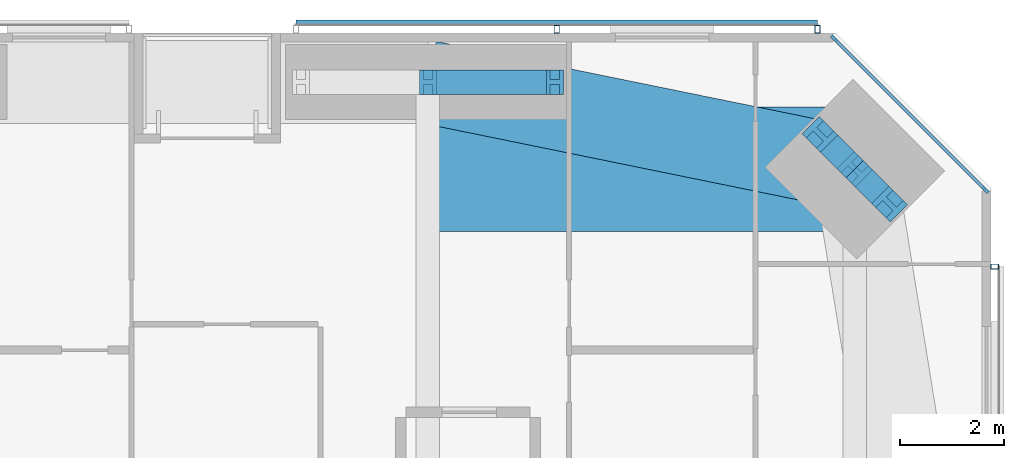
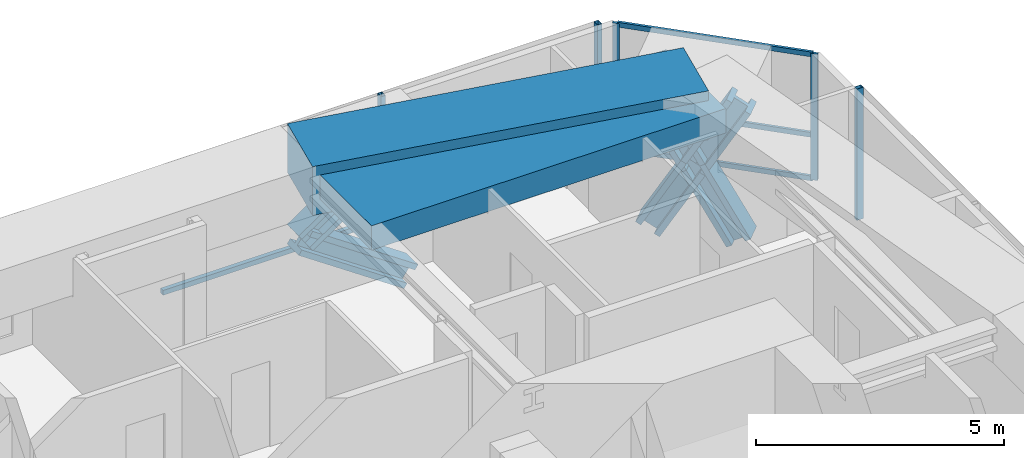
# One storey, part 15 of 24: 15 members, 2 beams, 3 elements without a shape of their own.
"""IFC4 building model written with IfcOpenShell, lengths in metres."""

from ifc_helpers import new_model, si_unit, direction, frame, origin, origin_2d, place, context, subcontext, project, spatial, rectangle, hollow_rectangle, i_section, extrude, material, material_profile, profile_set, type_object, element, aggregate, save


model = new_model("IFC4")

# Units and contexts
model_context = context("Model", 3, precision=1e-05, world=origin(), true_north=direction((0.0, 1.0)))
body_context = subcontext(model_context, "Body", "Model", "MODEL_VIEW")
ifc_project = project(units=[si_unit("LENGTHUNIT", "METRE"), si_unit("AREAUNIT", "SQUARE_METRE"), si_unit("VOLUMEUNIT", "CUBIC_METRE"), si_unit("PLANEANGLEUNIT", "RADIAN"), si_unit("MASSUNIT", "GRAM", prefix="KILO")], contexts=[model_context])

# Site, building, storey
site_placement = place(None, origin())
site = spatial("IfcSite", under=ifc_project, at=site_placement, CompositionType="ELEMENT")
building_placement = place(site_placement, origin())
building = spatial("IfcBuilding", under=site, at=building_placement, Name="Jalousie Tower", CompositionType="ELEMENT")
storey_placement = place(building_placement, frame((0.0, 0.0, 128.300048828125)))
storey = spatial("IfcBuildingStorey", under=building, at=storey_placement, Name="L35", CompositionType="ELEMENT", Elevation=128.300048828125)

# Curtain wall, members
ifc_material_1 = material(Name="Aluminium curtain wall", Category="aluminium")
curtain_wall_type_1 = type_object("IfcCurtainWallType", Name="CORNER WINDOW WALL", PredefinedType="USERDEFINED", material=ifc_material_1)
curtain_wall_1_placement = place(storey_placement, origin())
curtain_wall_1 = element("IfcCurtainWall", 1, at=curtain_wall_1_placement, inside=storey, type_object=curtain_wall_type_1, Name="Corner Window Wall L35 4", ObjectType="CORNER WINDOW WALL", PredefinedType="USERDEFINED")
ifc_material_2 = material(Name="Aluminium mullion", Category="aluminium")
ifc_material_profile_1 = material_profile(ifc_material_2, rectangle(XDim=0.06005859375, YDim=0.14990234375, at=origin_2d()), Name="MULLION 60x150")
ifc_profile_set_1 = profile_set([ifc_material_profile_1], Name="Aluminium mullion")
member_type_1 = type_object("IfcMemberType", Name="CORNER WINDOW WALL MULLION", PredefinedType="MULLION", material=ifc_profile_set_1)
member_1_placement = place(storey_placement, frame((49.391357421875, 34.969970703125, 0.0), z_axis=(0.0, 0.0, 1.0), x_axis=(-0.707106781187, -0.707106781187, 0.0)))
member_1 = element("IfcMember", 2, at=member_1_placement, type_object=member_type_1, Name="CW-C mullion 1", PredefinedType="MULLION", context=body_context, shape_type="SweptSolid", body=[
    extrude(rectangle(XDim=0.06005859375, YDim=0.14990234375, at=origin_2d()), origin(), (0.0, 0.0, 1.0), 3.10986328125),
])
member_2_placement = place(storey_placement, frame((46.469970703125, 37.891357421875, 0.0), z_axis=(0.0, 0.0, 1.0), x_axis=(-0.707106781187, -0.707106781187, 0.0)))
member_2 = element("IfcMember", 3, at=member_2_placement, type_object=member_type_1, Name="CW-C mullion 2", PredefinedType="MULLION", context=body_context, shape_type="SweptSolid", body=[
    extrude(rectangle(XDim=0.06005859375, YDim=0.14990234375, at=origin_2d()), origin(), (0.0, 0.0, 1.0), 3.10986328125),
])
ifc_material_3 = material(Name="Aluminium transom", Category="aluminium")
ifc_material_profile_2 = material_profile(ifc_material_3, rectangle(XDim=0.06005859375, YDim=0.1201171875, at=origin_2d()), Name="TRANSOM 60x120")
ifc_profile_set_2 = profile_set([ifc_material_profile_2], Name="Aluminium transom")
member_type_2 = type_object("IfcMemberType", Name="CORNER WINDOW WALL TRANSOM", PredefinedType="USERDEFINED", material=ifc_profile_set_2)
member_3_placement = place(storey_placement, frame((49.3701171875, 34.9912109375, 0.030029296875), z_axis=(-0.707106781187, 0.707106781187, 0.0), x_axis=(-0.707106781187, -0.707106781187, 0.0)))
member_3 = element("IfcMember", 4, at=member_3_placement, type_object=member_type_2, Name="CW-C transom 1.1", ObjectType="TRANSOM", PredefinedType="USERDEFINED", context=body_context, shape_type="SweptSolid", body=[
    extrude(rectangle(XDim=0.06005859375, YDim=0.1201171875, at=origin_2d()), origin(), (0.0, 0.0, 1.0), 4.0712890625),
])
member_4_placement = place(storey_placement, frame((49.3701171875, 34.9912109375, 1.099853515625), z_axis=(-0.707106781187, 0.707106781187, 0.0), x_axis=(-0.707106781187, -0.707106781187, 0.0)))
member_4 = element("IfcMember", 5, at=member_4_placement, type_object=member_type_2, Name="CW-C transom 1.2", ObjectType="TRANSOM", PredefinedType="USERDEFINED", context=body_context, shape_type="SweptSolid", body=[
    extrude(rectangle(XDim=0.06005859375, YDim=0.1201171875, at=origin_2d()), origin(), (0.0, 0.0, 1.0), 4.0712890625),
])
member_5_placement = place(storey_placement, frame((49.3701171875, 34.9912109375, 3.079833984375), z_axis=(-0.707106781187, 0.707106781187, 0.0), x_axis=(-0.707106781187, -0.707106781187, 0.0)))
member_5 = element("IfcMember", 6, at=member_5_placement, type_object=member_type_2, Name="CW-C transom 1.3", ObjectType="TRANSOM", PredefinedType="USERDEFINED", context=body_context, shape_type="SweptSolid", body=[
    extrude(rectangle(XDim=0.06005859375, YDim=0.1201171875, at=origin_2d()), origin(), (0.0, 0.0, 1.0), 4.0712890625),
])
aggregate(curtain_wall_1, [member_1, member_2, member_3, member_4, member_5])

# Members
ifc_material_4 = material(Name="Steel ASTM A992 Grade 50", Category="steel")
ifc_material_profile_3 = material_profile(ifc_material_4, i_section(OverallWidth=0.472412109375, OverallDepth=0.5791015625, WebThickness=0.094970703125, FlangeThickness=0.1298828125, at=origin_2d()), Name="W14X808")
ifc_profile_set_3 = profile_set([ifc_material_profile_3], Name="Steel ASTM A992 Grade 50")
member_type_3 = type_object("IfcMemberType", Name="PERIMETER BRACE W14X808", PredefinedType="BRACE", material=ifc_profile_set_3)
for number, where, z_axis, x_axis, name in (
    (7, (47.540283203125, 34.697021484375, -0.60009765625), (-0.348789058631, 0.348789058631, 0.869880672943), (-0.707106781187, -0.707106781187, 0.0), "Perimeter brace 08 L35 part 1"),
    (8, (46.86865234375, 35.36865234375, 1.074951171875), (-0.348789058631, 0.348789058631, 0.869880672943), (-0.707106781187, -0.707106781187, 0.0), "Perimeter brace 08 L35 part 2"),
    (9, (46.197021484375, 36.040283203125, -0.60009765625), (0.348789058631, -0.348789058631, 0.869880672943), (0.707106781187, 0.707106781187, 0.0), "Perimeter brace 08 L35 part 3"),
    (10, (46.86865234375, 35.36865234375, 1.074951171875), (0.348789058631, -0.348789058631, 0.869880672943), (0.707106781187, 0.707106781187, 0.0), "Perimeter brace 08 L35 part 4"),
):
    element("IfcMember", number, at=place(storey_placement, frame(where, z_axis=z_axis, x_axis=x_axis)), inside=storey, type_object=member_type_3, Name=name, PredefinedType="BRACE", context=body_context, shape_type="SweptSolid", body=[
        extrude(i_section(OverallWidth=0.472412109375, OverallDepth=0.5791015625, WebThickness=0.094970703125, FlangeThickness=0.1298828125, at=origin_2d()), origin(), (0.0, 0.0, 1.0), 1.925537109375),
    ])
for number, where, z_axis, x_axis, name in (
    (11, (38.625, 37.050048828125, 1.074951171875), (0.825500916831, 0.0, 0.564400776321), (0.0, 1.0, 0.0), "Perimeter brace 09 L35 part 2"),
    (12, (41.074951171875, 37.050048828125, -0.60009765625), (-0.825500916831, 0.0, 0.564400776321), (0.0, -1.0, 0.0), "Perimeter brace 09 L35 part 3"),
):
    element("IfcMember", number, at=place(storey_placement, frame(where, z_axis=z_axis, x_axis=x_axis)), inside=storey, type_object=member_type_3, Name=name, PredefinedType="BRACE", context=body_context, shape_type="SweptSolid", body=[
        extrude(i_section(OverallWidth=0.472412109375, OverallDepth=0.5791015625, WebThickness=0.094970703125, FlangeThickness=0.1298828125, at=origin_2d()), origin(), (0.0, 0.0, 1.0), 2.9677734375),
    ])

# Beams
ifc_material_5 = material(Name="Concrete f'c 40 MPa", Category="concrete")
ifc_material_profile_4 = material_profile(ifc_material_5, rectangle(XDim=1.60009765625, YDim=1.199951171875, at=origin_2d()), Name="RC 1600x1200")
ifc_profile_set_4 = profile_set([ifc_material_profile_4], Name="Concrete f'c 40 MPa")
beam_type_1 = type_object("IfcBeamType", Name="RC BEAM 1600x1200", PredefinedType="BEAM", material=ifc_profile_set_4)
beam_1_placement = place(storey_placement, frame((46.86865234375, 35.36865234375, 2.75), z_axis=(-0.97982690954, 0.199848010602, 0.0), x_axis=(-0.199848010602, -0.97982690954, 0.0)))
element("IfcBeam", 13, at=beam_1_placement, inside=storey, type_object=beam_type_1, Name="Edge band beam 08-09 under L36", PredefinedType="BEAM", context=body_context, shape_type="SweptSolid", body=[
    extrude(rectangle(XDim=1.60009765625, YDim=1.199951171875, at=origin_2d()), origin(), (0.0, 0.0, 1.0), 8.413330078125),
])
ifc_material_6 = material(Name="Concrete f'c 40 MPa", Category="concrete")
ifc_material_profile_5 = material_profile(ifc_material_6, rectangle(XDim=2.39990234375, YDim=0.60009765625, at=origin_2d()), Name="RC 2400x600")
ifc_profile_set_5 = profile_set([ifc_material_profile_5], Name="Concrete f'c 40 MPa")
beam_type_2 = type_object("IfcBeamType", Name="RC BEAM 2400x600", PredefinedType="BEAM", material=ifc_profile_set_5)
beam_2_placement = place(storey_placement, frame((46.86865234375, 35.36865234375, 2.81005859375), z_axis=(-1.0, 0.0, 0.0), x_axis=(0.0, -1.0, 0.0)))
element("IfcBeam", 14, at=beam_2_placement, inside=storey, type_object=beam_type_2, Name="Floor band beam under L36", PredefinedType="BEAM", context=body_context, shape_type="SweptSolid", body=[
    extrude(rectangle(XDim=2.39990234375, YDim=0.60009765625, at=origin_2d()), origin(), (0.0, 0.0, 1.0), 8.24365234375),
])

# Curtain wall, member
ifc_material_7 = material(Name="Perforated aluminium sheet", Category="aluminium")
curtain_wall_type_2 = type_object("IfcCurtainWallType", Name="SOLAR SCREEN SS-1", PredefinedType="USERDEFINED", material=ifc_material_7)
curtain_wall_2_placement = place(storey_placement, origin())
curtain_wall_2 = element("IfcCurtainWall", 15, at=curtain_wall_2_placement, inside=storey, type_object=curtain_wall_type_2, Name="Solar screen L35", ObjectType="SOLAR SCREEN SS-1", PredefinedType="USERDEFINED")
ifc_material_8 = material(Name="Steel ASTM A500 Grade C", Category="steel")
ifc_material_profile_6 = material_profile(ifc_material_8, hollow_rectangle(XDim=0.1015625, YDim=0.15234375, WallThickness=0.00634765625, at=origin_2d()), Name="HSS6X4X1/4")
ifc_profile_set_6 = profile_set([ifc_material_profile_6], Name="Steel ASTM A500 Grade C")
member_type_4 = type_object("IfcMemberType", Name="SOLAR SCREEN SS-1 MULLION", PredefinedType="MULLION", material=ifc_profile_set_6)
member_6_placement = place(storey_placement, frame((49.5712890625, 33.486083984375, -0.1201171875), z_axis=(0.0, 0.0, 1.0), x_axis=(0.0, 1.0, 0.0)))
member_6 = element("IfcMember", 16, at=member_6_placement, type_object=member_type_4, Name="SS1 post 4", PredefinedType="MULLION", context=body_context, shape_type="SweptSolid", body=[
    extrude(hollow_rectangle(XDim=0.1015625, YDim=0.15234375, WallThickness=0.00634765625, at=origin_2d()), origin(), (0.0, 0.0, 1.0), 3.22998046875),
])
aggregate(curtain_wall_2, [member_6])

# Curtain wall, members
curtain_wall_3_placement = place(storey_placement, origin())
curtain_wall_3 = element("IfcCurtainWall", 17, at=curtain_wall_3_placement, inside=storey, type_object=curtain_wall_type_2, Name="Solar screen L35", ObjectType="SOLAR SCREEN SS-1", PredefinedType="USERDEFINED")
member_7_placement = place(storey_placement, frame((46.148681640625, 38.0712890625, -0.1201171875), z_axis=(0.0, 0.0, 1.0), x_axis=(-1.0, 0.0, 0.0)))
member_7 = element("IfcMember", 18, at=member_7_placement, type_object=member_type_4, Name="SS1 post 1", PredefinedType="MULLION", context=body_context, shape_type="SweptSolid", body=[
    extrude(hollow_rectangle(XDim=0.1015625, YDim=0.15234375, WallThickness=0.00634765625, at=origin_2d()), origin(), (0.0, 0.0, 1.0), 3.22998046875),
])
member_8_placement = place(storey_placement, frame((41.11181640625, 38.0712890625, -0.1201171875), z_axis=(0.0, 0.0, 1.0), x_axis=(-1.0, 0.0, 0.0)))
member_8 = element("IfcMember", 19, at=member_8_placement, type_object=member_type_4, Name="SS1 post 2", PredefinedType="MULLION", context=body_context, shape_type="SweptSolid", body=[
    extrude(hollow_rectangle(XDim=0.1015625, YDim=0.15234375, WallThickness=0.00634765625, at=origin_2d()), origin(), (0.0, 0.0, 1.0), 3.22998046875),
])
ifc_material_9 = material(Name="Extruded aluminium screen rail", Category="aluminium")
ifc_material_profile_7 = material_profile(ifc_material_9, rectangle(XDim=0.1015625, YDim=0.1201171875, at=origin_2d()), Name="RAIL 102x120")
ifc_profile_set_7 = profile_set([ifc_material_profile_7], Name="Extruded aluminium screen rail")
member_type_5 = type_object("IfcMemberType", Name="SOLAR SCREEN SS-1 TRANSOM", PredefinedType="USERDEFINED", material=ifc_profile_set_7)
member_9_placement = place(storey_placement, frame((46.148681640625, 38.1982421875, -0.06005859375), z_axis=(-1.0, 0.0, 0.0), x_axis=(0.0, -1.0, 0.0)))
member_9 = element("IfcMember", 20, at=member_9_placement, type_object=member_type_5, Name="SS1 rail", ObjectType="TRANSOM", PredefinedType="USERDEFINED", context=body_context, shape_type="SweptSolid", body=[
    extrude(rectangle(XDim=0.1015625, YDim=0.1201171875, at=origin_2d()), origin(), (0.0, 0.0, 1.0), 10.07373046875),
])
aggregate(curtain_wall_3, [member_7, member_8, member_9])

save(model, "model.ifc")
